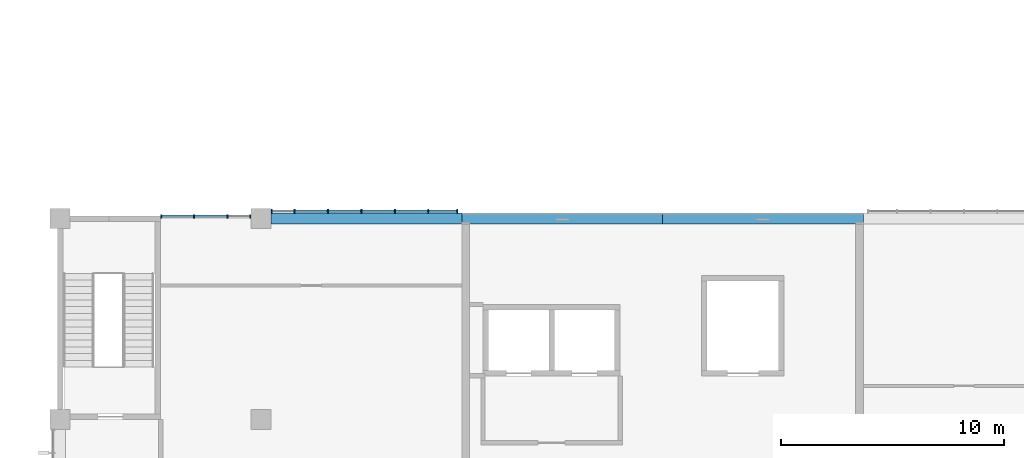
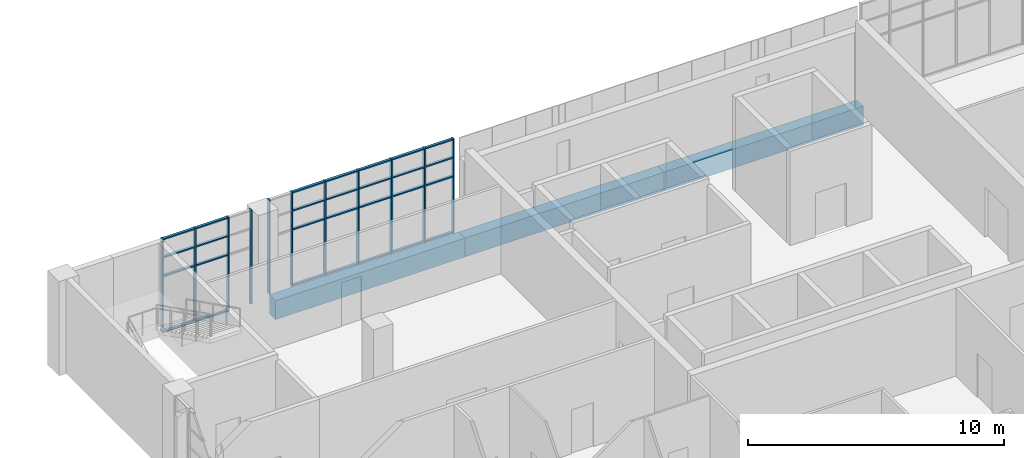
# One storey, part 35 of 79: 39 members, 3 beams, 2 elements without a shape of their own.
"""IFC4 building model written with IfcOpenShell, lengths in metres."""

import ifcopenshell
import ifcopenshell.guid

model = None  # the IFC model being written
_history = None  # IfcOwnerHistory: only IFC2X3 demands one
_inside = {}  # id of a spatial element -> (the spatial element, [elements in it])
_under = {}  # id of a project, library or spatial element -> (it, [spatial elements below it])
_declared = {}  # id of a project -> (the project, [libraries it declares])
_typed = {}  # id of a type object -> (the type object, [elements of that type])
_made_of = {}  # id of a material, layer set ... -> (it, [elements and type objects made of it])


def new_model(schema):
    """Start an empty IFC model of exactly this schema.

    Asked for "IFC4X3", IfcOpenShell would pick the latest addendum, in which some entities
    have other attributes; the version numbers below select the first issue.
    IFC2X3 requires an IfcOwnerHistory on every rooted entity: one is made here for all.
    """
    global model, _history
    if schema == "IFC4X3":
        model = ifcopenshell.file(schema_version=(4, 3, 0, 0))
    else:
        model = ifcopenshell.file(schema=schema)
    _inside.clear()
    _under.clear()
    _declared.clear()
    _typed.clear()
    _made_of.clear()
    _history = None
    if model.schema == "IFC2X3":
        org = make("IfcOrganization", Name="unknown")
        user = make(
            "IfcPersonAndOrganization",
            ThePerson=make("IfcPerson", FamilyName="unknown"),
            TheOrganization=org,
        )
        app = make(
            "IfcApplication",
            ApplicationDeveloper=org,
            Version="unknown",
            ApplicationFullName="unknown",
            ApplicationIdentifier="unknown",
        )
        _history = make(
            "IfcOwnerHistory",
            OwningUser=user,
            OwningApplication=app,
            ChangeAction="ADDED",
            CreationDate=0,
        )
    return model


def make(cls, **values):
    """One entity of the class cls with the attributes given. An attribute that is None is left unset."""
    return model.create_entity(
        cls, **{name: value for name, value in values.items() if value is not None}
    )


def rooted(cls, **values):
    """An entity with a GlobalId (a new one), such as an element, a storey or a relation."""
    return make(cls, GlobalId=ifcopenshell.guid.new(), OwnerHistory=_history, **values)


def si_unit(unit_type, name, prefix=None):
    """IfcSIUnit, for example si_unit("LENGTHUNIT", "METRE", prefix="MILLI")."""
    return make("IfcSIUnit", UnitType=unit_type, Prefix=prefix, Name=name)


def assignment(units):
    """IfcUnitAssignment: the units of a project."""
    return None if units is None else make("IfcUnitAssignment", Units=units)


def point(xyz):
    """IfcCartesianPoint."""
    return None if xyz is None else make("IfcCartesianPoint", Coordinates=xyz)


def direction(xyz):
    """IfcDirection."""
    return None if xyz is None else make("IfcDirection", DirectionRatios=xyz)


def frame(location, z_axis=None, x_axis=None):
    """IfcAxis2Placement3D, a coordinate frame: its origin and axes. An axis left out is left unset."""
    return make(
        "IfcAxis2Placement3D",
        Location=point(location),
        Axis=direction(z_axis),
        RefDirection=direction(x_axis),
    )


def frame_2d(location, x_axis=None):
    """IfcAxis2Placement2D, a coordinate frame in the plane: its origin and x axis."""
    return make(
        "IfcAxis2Placement2D", Location=point(location), RefDirection=direction(x_axis)
    )


def origin():
    """The frame at (0, 0, 0) with its axes left unset."""
    return frame((0.0, 0.0, 0.0))


def origin_2d():
    """The frame at (0, 0) in the plane with its x axis left unset."""
    return frame_2d((0.0, 0.0))


def place(relative_to, where):
    """IfcLocalPlacement: puts the frame where relative to a parent placement (None: the world)."""
    return make(
        "IfcLocalPlacement", PlacementRelTo=relative_to, RelativePlacement=where
    )


def context(
    kind, dimensions, precision=None, world=None, true_north=None, identifier=None
):
    """IfcGeometricRepresentationContext, for example the 3D "Model" context."""
    return make(
        "IfcGeometricRepresentationContext",
        ContextIdentifier=identifier,
        ContextType=kind,
        CoordinateSpaceDimension=dimensions,
        Precision=precision,
        WorldCoordinateSystem=world,
        TrueNorth=true_north,
    )


def subcontext(parent, identifier, kind, view, scale=None):
    """IfcGeometricRepresentationSubContext, for example "Body" below "Model"."""
    return make(
        "IfcGeometricRepresentationSubContext",
        ContextIdentifier=identifier,
        ContextType=kind,
        ParentContext=parent,
        TargetScale=scale,
        TargetView=view,
    )


def project(units=None, contexts=None):
    """IfcProject with its units and contexts."""
    return rooted(
        "IfcProject",
        Name="project",
        RepresentationContexts=contexts,
        UnitsInContext=assignment(units),
    )


def spatial(cls, under=None, at=None, **own):
    """A site, building, storey or space (cls), placed at a placement, below another one or the project."""
    s = rooted(cls, ObjectPlacement=at, **own)
    if under is not None:
        _under.setdefault(under.id(), (under, []))[1].append(s)
    return s


def profile(cls, at=None, kind="AREA", **sizes):
    """A parametric profile (cls). Its sizes go by their IFC names, for example OverallWidth=200.0."""
    return make(cls, ProfileType=kind, Position=at, **sizes)


def rectangle(**sizes):
    """IfcRectangleProfileDef."""
    return profile("IfcRectangleProfileDef", **sizes)


def extrude(swept, where, along, depth):
    """IfcExtrudedAreaSolid: the profile swept, set in the frame where, extruded along a direction by depth."""
    return make(
        "IfcExtrudedAreaSolid",
        SweptArea=swept,
        Position=where,
        ExtrudedDirection=direction(along),
        Depth=depth,
    )


def shape(context_of_items, identifier, shape_type, items):
    """IfcShapeRepresentation: the items that make up one representation, for example the "Body"."""
    return make(
        "IfcShapeRepresentation",
        ContextOfItems=context_of_items,
        RepresentationIdentifier=identifier,
        RepresentationType=shape_type,
        Items=items,
    )


def material(Name=None, Category=None):
    """IfcMaterial."""
    return make("IfcMaterial", Name=Name, Category=Category)


def layer(
    of_material, thickness, ventilated=None, Name=None, Category=None, Priority=None
):
    """IfcMaterialLayer: one layer of a wall or slab, of a material (None: an air gap)."""
    return make(
        "IfcMaterialLayer",
        Material=of_material,
        LayerThickness=thickness,
        IsVentilated=ventilated,
        Name=Name,
        Category=Category,
        Priority=Priority,
    )


def layer_set(layers, Name=None):
    """IfcMaterialLayerSet."""
    return make("IfcMaterialLayerSet", MaterialLayers=layers, LayerSetName=Name)


def material_profile(
    of_material, cross_section, Name=None, Category=None, Priority=None
):
    """IfcMaterialProfile: a cross section and its material."""
    return make(
        "IfcMaterialProfile",
        Name=Name,
        Material=of_material,
        Profile=cross_section,
        Priority=Priority,
        Category=Category,
    )


def profile_set(profiles, Name=None, composite=None):
    """IfcMaterialProfileSet."""
    return make(
        "IfcMaterialProfileSet",
        Name=Name,
        MaterialProfiles=profiles,
        CompositeProfile=composite,
    )


def made_of(thing, what):
    """Note that an element or type object is made of a material, layer set ...; save() writes the relation."""
    if what is not None:
        _made_of.setdefault(what.id(), (what, []))[1].append(thing)
    return thing


def type_object(cls, material=None, **own):
    """A type object (cls), such as IfcWallType, which elements share."""
    return made_of(rooted(cls, **own), material)


def element(
    cls,
    number,
    at=None,
    inside=None,
    cuts=None,
    type_object=None,
    material=None,
    context=None,
    identifier="Body",
    shape_type=None,
    held_by="IfcProductDefinitionShape",
    body=None,
    shapes=None,
    **own,
):
    """One element of the class cls, such as IfcWall. Its Tag is "e" and its number.

    at: its placement. inside: the storey or other place that contains it. cuts: it is an
    opening in that element (IfcRelVoidsElement). A single representation is given by context,
    identifier, shape_type and body (its items); several are given by shapes. held_by: the class
    of the entity that holds the representations. save() writes the other relations.
    """
    e = rooted(cls, Tag="e%d" % number, ObjectPlacement=at, **own)
    if body is not None:
        shapes = [shape(context, identifier, shape_type, body)]
    if shapes is not None:
        e.Representation = make(held_by, Representations=shapes)
    if inside is not None:
        _inside.setdefault(inside.id(), (inside, []))[1].append(e)
    if cuts is not None:
        rooted(
            "IfcRelVoidsElement", RelatingBuildingElement=cuts, RelatedOpeningElement=e
        )
    if type_object is not None:
        _typed.setdefault(type_object.id(), (type_object, []))[1].append(e)
    return made_of(e, material)


def aggregate(whole, parts):
    """IfcRelAggregates: a whole, such as a stair, and the parts it consists of."""
    return rooted("IfcRelAggregates", RelatingObject=whole, RelatedObjects=parts)


def save(model, path):
    """Write the relations noted so far, then the file.

    IfcRelAggregates (storeys below a building ...), IfcRelContainedInSpatialStructure (elements
    in a storey), IfcRelDefinesByType, IfcRelAssociatesMaterial and IfcRelDeclares: one each for
    every whole, place, type object, material and project.
    """
    for whole, parts in _under.values():
        aggregate(whole, parts)
    for where, things in _inside.values():
        rooted(
            "IfcRelContainedInSpatialStructure",
            RelatedElements=things,
            RelatingStructure=where,
        )
    for kind, things in _typed.values():
        rooted("IfcRelDefinesByType", RelatedObjects=things, RelatingType=kind)
    for what, things in _made_of.values():
        rooted("IfcRelAssociatesMaterial", RelatedObjects=things, RelatingMaterial=what)
    for by, libraries in _declared.values():
        rooted("IfcRelDeclares", RelatingContext=by, RelatedDefinitions=libraries)
    model.write(path)


model = new_model("IFC4")

# Units and contexts
model_context = context("Model", 3, precision=1e-05, world=origin(), true_north=direction((0.0, 1.0)))
body_context = subcontext(model_context, "Body", "Model", "MODEL_VIEW")
ifc_project = project(units=[si_unit("LENGTHUNIT", "METRE"), si_unit("AREAUNIT", "SQUARE_METRE"), si_unit("VOLUMEUNIT", "CUBIC_METRE"), si_unit("PLANEANGLEUNIT", "RADIAN"), si_unit("MASSUNIT", "GRAM", prefix="KILO")], contexts=[model_context])

# Site, building, storey
site_placement = place(None, origin())
site = spatial("IfcSite", under=ifc_project, at=site_placement, CompositionType="ELEMENT")
building_placement = place(site_placement, origin())
building = spatial("IfcBuilding", under=site, at=building_placement, Name="Guidao Yard Department Store", CompositionType="ELEMENT")
storey_placement = place(building_placement, frame((0.0, 0.0, 15.0)))
storey = spatial("IfcBuildingStorey", under=building, at=storey_placement, Name="L03", CompositionType="ELEMENT", Elevation=15.0)

# Curtain wall, members
ifc_material_1 = material(Name="Aluminium and glass", Category="aluminium")
ifc_layer = layer(ifc_material_1, 0.159912109375)
ifc_layer_set = layer_set([ifc_layer], Name="Unitised curtain wall CW4 1500 module")
curtain_wall_type = type_object("IfcCurtainWallType", Name="Unitised curtain wall CW4 1500 module", PredefinedType="NOTDEFINED", material=ifc_layer_set)
curtain_wall_1_placement = place(storey_placement, origin())
curtain_wall_1 = element("IfcCurtainWall", 1, at=curtain_wall_1_placement, inside=storey, type_object=curtain_wall_type, Name="Unitised curtain wall", PredefinedType="NOTDEFINED")
ifc_material_2 = material(Name="Aluminium 6063-T5", Category="aluminium")
ifc_material_profile_1 = material_profile(ifc_material_2, rectangle(XDim=0.06005859375, YDim=0.159912109375, at=origin_2d()), Name="Mullion M1 60 x 160 aluminium pressure plate")
ifc_profile_set_1 = profile_set([ifc_material_profile_1], Name="Aluminium 6063-T5")
member_type_1 = type_object("IfcMemberType", Name="Mullion M1 60 x 160 aluminium pressure plate", PredefinedType="MULLION", material=ifc_profile_set_1)
member_1_placement = place(storey_placement, frame((130.530029296875, 27.10009765625, 0.0), z_axis=(0.0, 0.0, 1.0), x_axis=(1.0, 0.0, 0.0)))
member_1 = element("IfcMember", 2, at=member_1_placement, type_object=member_type_1, Name="CW-OW-L03-06 mullion 1", PredefinedType="MULLION", context=body_context, shape_type="SweptSolid", body=[
    extrude(rectangle(XDim=0.06005859375, YDim=0.159912109375, at=origin_2d()), origin(), (0.0, 0.0, 1.0), 4.5),
])
member_2_placement = place(storey_placement, frame((132.0, 27.10009765625, 0.0), z_axis=(0.0, 0.0, 1.0), x_axis=(1.0, 0.0, 0.0)))
member_2 = element("IfcMember", 3, at=member_2_placement, type_object=member_type_1, Name="CW-OW-L03-06 mullion 2", PredefinedType="MULLION", context=body_context, shape_type="SweptSolid", body=[
    extrude(rectangle(XDim=0.06005859375, YDim=0.159912109375, at=origin_2d()), origin(), (0.0, 0.0, 1.0), 4.5),
])
member_3_placement = place(storey_placement, frame((133.5, 27.10009765625, 0.0), z_axis=(0.0, 0.0, 1.0), x_axis=(1.0, 0.0, 0.0)))
member_3 = element("IfcMember", 4, at=member_3_placement, type_object=member_type_1, Name="CW-OW-L03-06 mullion 3", PredefinedType="MULLION", context=body_context, shape_type="SweptSolid", body=[
    extrude(rectangle(XDim=0.06005859375, YDim=0.159912109375, at=origin_2d()), origin(), (0.0, 0.0, 1.0), 4.5),
])
member_4_placement = place(storey_placement, frame((134.52001953125, 27.10009765625, 0.0), z_axis=(0.0, 0.0, 1.0), x_axis=(1.0, 0.0, 0.0)))
member_4 = element("IfcMember", 5, at=member_4_placement, type_object=member_type_1, Name="CW-OW-L03-06 mullion 4", PredefinedType="MULLION", context=body_context, shape_type="SweptSolid", body=[
    extrude(rectangle(XDim=0.06005859375, YDim=0.159912109375, at=origin_2d()), origin(), (0.0, 0.0, 1.0), 4.5),
])

curtain_wall_2_placement = place(storey_placement, origin())
curtain_wall_2 = element("IfcCurtainWall", 6, at=curtain_wall_2_placement, inside=storey, type_object=curtain_wall_type, Name="Unitised curtain wall", PredefinedType="NOTDEFINED")
member_5_placement = place(storey_placement, frame((135.47998046875, 27.330078125, 0.0), z_axis=(0.0, 0.0, 1.0), x_axis=(1.0, 0.0, 0.0)))
member_5 = element("IfcMember", 7, at=member_5_placement, type_object=member_type_1, Name="CW-OW-L03-07 mullion 1", PredefinedType="MULLION", context=body_context, shape_type="SweptSolid", body=[
    extrude(rectangle(XDim=0.06005859375, YDim=0.159912109375, at=origin_2d()), origin(), (0.0, 0.0, 1.0), 4.5),
])
member_6_placement = place(storey_placement, frame((136.5, 27.330078125, 0.0), z_axis=(0.0, 0.0, 1.0), x_axis=(1.0, 0.0, 0.0)))
member_6 = element("IfcMember", 8, at=member_6_placement, type_object=member_type_1, Name="CW-OW-L03-07 mullion 2", PredefinedType="MULLION", context=body_context, shape_type="SweptSolid", body=[
    extrude(rectangle(XDim=0.06005859375, YDim=0.159912109375, at=origin_2d()), origin(), (0.0, 0.0, 1.0), 4.5),
])
member_7_placement = place(storey_placement, frame((138.0, 27.330078125, 0.0), z_axis=(0.0, 0.0, 1.0), x_axis=(1.0, 0.0, 0.0)))
member_7 = element("IfcMember", 9, at=member_7_placement, type_object=member_type_1, Name="CW-OW-L03-07 mullion 3", PredefinedType="MULLION", context=body_context, shape_type="SweptSolid", body=[
    extrude(rectangle(XDim=0.06005859375, YDim=0.159912109375, at=origin_2d()), origin(), (0.0, 0.0, 1.0), 4.5),
])
member_8_placement = place(storey_placement, frame((139.5, 27.330078125, 0.0), z_axis=(0.0, 0.0, 1.0), x_axis=(1.0, 0.0, 0.0)))
member_8 = element("IfcMember", 10, at=member_8_placement, type_object=member_type_1, Name="CW-OW-L03-07 mullion 4", PredefinedType="MULLION", context=body_context, shape_type="SweptSolid", body=[
    extrude(rectangle(XDim=0.06005859375, YDim=0.159912109375, at=origin_2d()), origin(), (0.0, 0.0, 1.0), 4.5),
])
member_9_placement = place(storey_placement, frame((141.0, 27.330078125, 0.0), z_axis=(0.0, 0.0, 1.0), x_axis=(1.0, 0.0, 0.0)))
member_9 = element("IfcMember", 11, at=member_9_placement, type_object=member_type_1, Name="CW-OW-L03-07 mullion 5", PredefinedType="MULLION", context=body_context, shape_type="SweptSolid", body=[
    extrude(rectangle(XDim=0.06005859375, YDim=0.159912109375, at=origin_2d()), origin(), (0.0, 0.0, 1.0), 4.5),
])
member_10_placement = place(storey_placement, frame((142.5, 27.330078125, 0.0), z_axis=(0.0, 0.0, 1.0), x_axis=(1.0, 0.0, 0.0)))
member_10 = element("IfcMember", 12, at=member_10_placement, type_object=member_type_1, Name="CW-OW-L03-07 mullion 6", PredefinedType="MULLION", context=body_context, shape_type="SweptSolid", body=[
    extrude(rectangle(XDim=0.06005859375, YDim=0.159912109375, at=origin_2d()), origin(), (0.0, 0.0, 1.0), 4.5),
])
member_11_placement = place(storey_placement, frame((143.794921875, 27.330078125, 0.0), z_axis=(0.0, 0.0, 1.0), x_axis=(1.0, 0.0, 0.0)))
member_11 = element("IfcMember", 13, at=member_11_placement, type_object=member_type_1, Name="CW-OW-L03-07 mullion 7", PredefinedType="MULLION", context=body_context, shape_type="SweptSolid", body=[
    extrude(rectangle(XDim=0.06005859375, YDim=0.159912109375, at=origin_2d()), origin(), (0.0, 0.0, 1.0), 4.5),
])

# Beams
ifc_material_3 = material(Name="Concrete C40", Category="concrete")
ifc_material_profile_2 = material_profile(ifc_material_3, rectangle(XDim=0.5, YDim=0.89990234375, at=origin_2d()), Name="Spandrel beam 500 x 900 C40")
ifc_profile_set_2 = profile_set([ifc_material_profile_2], Name="Concrete C40")
beam_type = type_object("IfcBeamType", Name="Spandrel beam 500 x 900 C40", PredefinedType="SPANDREL", material=ifc_profile_set_2)
beam_placement = place(storey_placement, frame((135.449951171875, 27.0, -0.449951171875), z_axis=(1.0, 0.0, 0.0), x_axis=(0.0, 1.0, 0.0)))
element("IfcBeam", 14, at=beam_placement, inside=storey, type_object=beam_type, Name="Beam FB05", PredefinedType="SPANDREL", context=body_context, shape_type="SweptSolid", body=[
    extrude(rectangle(XDim=0.5, YDim=0.89990234375, at=origin_2d()), origin(), (0.0, 0.0, 1.0), 8.550048828125),
])
for number, where, z_axis, x_axis, name in (
    (15, (144.0, 27.0, -0.449951171875), (1.0, 0.0, 0.0), (0.0, 1.0, 0.0), "Beam FB06"),
    (16, (153.0, 27.0, -0.449951171875), (1.0, 0.0, 0.0), (0.0, 1.0, 0.0), "Beam FB07"),
):
    element("IfcBeam", number, at=place(storey_placement, frame(where, z_axis=z_axis, x_axis=x_axis)), inside=storey, type_object=beam_type, Name=name, PredefinedType="SPANDREL", context=body_context, shape_type="SweptSolid", body=[
        extrude(rectangle(XDim=0.5, YDim=0.89990234375, at=origin_2d()), origin(), (0.0, 0.0, 1.0), 9.0),
    ])

# Member
ifc_material_4 = material(Name="Aluminium 6063-T5", Category="aluminium")
ifc_material_profile_3 = material_profile(ifc_material_4, rectangle(XDim=0.1201171875, YDim=0.06005859375, at=origin_2d()), Name="Transom T1 60 x 120 aluminium pressure plate")
ifc_profile_set_3 = profile_set([ifc_material_profile_3], Name="Aluminium 6063-T5")
member_type_2 = type_object("IfcMemberType", Name="Transom T1 60 x 120 aluminium pressure plate", PredefinedType="USERDEFINED", material=ifc_profile_set_3)
member_12_placement = place(storey_placement, frame((130.56005859375, 27.10009765625, 0.030029296875), z_axis=(1.0, 0.0, 0.0), x_axis=(0.0, 1.0, 0.0)))
member_12 = element("IfcMember", 17, at=member_12_placement, type_object=member_type_2, Name="CW-OW-L03-06 transom 1.1", ObjectType="TRANSOM", PredefinedType="USERDEFINED", context=body_context, shape_type="SweptSolid", body=[
    extrude(rectangle(XDim=0.1201171875, YDim=0.06005859375, at=origin_2d()), origin(), (0.0, 0.0, 1.0), 1.409912109375),
])

member_13_placement = place(storey_placement, frame((130.56005859375, 27.10009765625, 2.699951171875), z_axis=(1.0, 0.0, 0.0), x_axis=(0.0, 1.0, 0.0)))
member_13 = element("IfcMember", 18, at=member_13_placement, type_object=member_type_2, Name="CW-OW-L03-06 transom 1.2", ObjectType="TRANSOM", PredefinedType="USERDEFINED", context=body_context, shape_type="SweptSolid", body=[
    extrude(rectangle(XDim=0.1201171875, YDim=0.06005859375, at=origin_2d()), origin(), (0.0, 0.0, 1.0), 1.409912109375),
])

member_14_placement = place(storey_placement, frame((130.56005859375, 27.10009765625, 3.60009765625), z_axis=(1.0, 0.0, 0.0), x_axis=(0.0, 1.0, 0.0)))
member_14 = element("IfcMember", 19, at=member_14_placement, type_object=member_type_2, Name="CW-OW-L03-06 transom 1.3", ObjectType="TRANSOM", PredefinedType="USERDEFINED", context=body_context, shape_type="SweptSolid", body=[
    extrude(rectangle(XDim=0.1201171875, YDim=0.06005859375, at=origin_2d()), origin(), (0.0, 0.0, 1.0), 1.409912109375),
])

member_15_placement = place(storey_placement, frame((130.56005859375, 27.10009765625, 4.469970703125), z_axis=(1.0, 0.0, 0.0), x_axis=(0.0, 1.0, 0.0)))
member_15 = element("IfcMember", 20, at=member_15_placement, type_object=member_type_2, Name="CW-OW-L03-06 transom 1.4", ObjectType="TRANSOM", PredefinedType="USERDEFINED", context=body_context, shape_type="SweptSolid", body=[
    extrude(rectangle(XDim=0.1201171875, YDim=0.06005859375, at=origin_2d()), origin(), (0.0, 0.0, 1.0), 1.409912109375),
])

member_16_placement = place(storey_placement, frame((132.030029296875, 27.10009765625, 0.030029296875), z_axis=(1.0, 0.0, 0.0), x_axis=(0.0, 1.0, 0.0)))
member_16 = element("IfcMember", 21, at=member_16_placement, type_object=member_type_2, Name="CW-OW-L03-06 transom 2.1", ObjectType="TRANSOM", PredefinedType="USERDEFINED", context=body_context, shape_type="SweptSolid", body=[
    extrude(rectangle(XDim=0.1201171875, YDim=0.06005859375, at=origin_2d()), origin(), (0.0, 0.0, 1.0), 1.43994140625),
])

member_17_placement = place(storey_placement, frame((132.030029296875, 27.10009765625, 2.699951171875), z_axis=(1.0, 0.0, 0.0), x_axis=(0.0, 1.0, 0.0)))
member_17 = element("IfcMember", 22, at=member_17_placement, type_object=member_type_2, Name="CW-OW-L03-06 transom 2.2", ObjectType="TRANSOM", PredefinedType="USERDEFINED", context=body_context, shape_type="SweptSolid", body=[
    extrude(rectangle(XDim=0.1201171875, YDim=0.06005859375, at=origin_2d()), origin(), (0.0, 0.0, 1.0), 1.43994140625),
])

member_18_placement = place(storey_placement, frame((132.030029296875, 27.10009765625, 3.60009765625), z_axis=(1.0, 0.0, 0.0), x_axis=(0.0, 1.0, 0.0)))
member_18 = element("IfcMember", 23, at=member_18_placement, type_object=member_type_2, Name="CW-OW-L03-06 transom 2.3", ObjectType="TRANSOM", PredefinedType="USERDEFINED", context=body_context, shape_type="SweptSolid", body=[
    extrude(rectangle(XDim=0.1201171875, YDim=0.06005859375, at=origin_2d()), origin(), (0.0, 0.0, 1.0), 1.43994140625),
])

member_19_placement = place(storey_placement, frame((132.030029296875, 27.10009765625, 4.469970703125), z_axis=(1.0, 0.0, 0.0), x_axis=(0.0, 1.0, 0.0)))
member_19 = element("IfcMember", 24, at=member_19_placement, type_object=member_type_2, Name="CW-OW-L03-06 transom 2.4", ObjectType="TRANSOM", PredefinedType="USERDEFINED", context=body_context, shape_type="SweptSolid", body=[
    extrude(rectangle(XDim=0.1201171875, YDim=0.06005859375, at=origin_2d()), origin(), (0.0, 0.0, 1.0), 1.43994140625),
])

aggregate(curtain_wall_1, [member_1, member_2, member_3, member_4, member_12, member_13, member_14, member_15, member_16, member_17, member_18, member_19])

member_20_placement = place(storey_placement, frame((136.530029296875, 27.330078125, 0.030029296875), z_axis=(1.0, 0.0, 0.0), x_axis=(0.0, 1.0, 0.0)))
member_20 = element("IfcMember", 25, at=member_20_placement, type_object=member_type_2, Name="CW-OW-L03-07 transom 2.1", ObjectType="TRANSOM", PredefinedType="USERDEFINED", context=body_context, shape_type="SweptSolid", body=[
    extrude(rectangle(XDim=0.1201171875, YDim=0.06005859375, at=origin_2d()), origin(), (0.0, 0.0, 1.0), 1.43994140625),
])

member_21_placement = place(storey_placement, frame((136.530029296875, 27.330078125, 2.699951171875), z_axis=(1.0, 0.0, 0.0), x_axis=(0.0, 1.0, 0.0)))
member_21 = element("IfcMember", 26, at=member_21_placement, type_object=member_type_2, Name="CW-OW-L03-07 transom 2.2", ObjectType="TRANSOM", PredefinedType="USERDEFINED", context=body_context, shape_type="SweptSolid", body=[
    extrude(rectangle(XDim=0.1201171875, YDim=0.06005859375, at=origin_2d()), origin(), (0.0, 0.0, 1.0), 1.43994140625),
])

member_22_placement = place(storey_placement, frame((136.530029296875, 27.330078125, 3.60009765625), z_axis=(1.0, 0.0, 0.0), x_axis=(0.0, 1.0, 0.0)))
member_22 = element("IfcMember", 27, at=member_22_placement, type_object=member_type_2, Name="CW-OW-L03-07 transom 2.3", ObjectType="TRANSOM", PredefinedType="USERDEFINED", context=body_context, shape_type="SweptSolid", body=[
    extrude(rectangle(XDim=0.1201171875, YDim=0.06005859375, at=origin_2d()), origin(), (0.0, 0.0, 1.0), 1.43994140625),
])

member_23_placement = place(storey_placement, frame((136.530029296875, 27.330078125, 4.469970703125), z_axis=(1.0, 0.0, 0.0), x_axis=(0.0, 1.0, 0.0)))
member_23 = element("IfcMember", 28, at=member_23_placement, type_object=member_type_2, Name="CW-OW-L03-07 transom 2.4", ObjectType="TRANSOM", PredefinedType="USERDEFINED", context=body_context, shape_type="SweptSolid", body=[
    extrude(rectangle(XDim=0.1201171875, YDim=0.06005859375, at=origin_2d()), origin(), (0.0, 0.0, 1.0), 1.43994140625),
])

member_24_placement = place(storey_placement, frame((138.030029296875, 27.330078125, 0.030029296875), z_axis=(1.0, 0.0, 0.0), x_axis=(0.0, 1.0, 0.0)))
member_24 = element("IfcMember", 29, at=member_24_placement, type_object=member_type_2, Name="CW-OW-L03-07 transom 3.1", ObjectType="TRANSOM", PredefinedType="USERDEFINED", context=body_context, shape_type="SweptSolid", body=[
    extrude(rectangle(XDim=0.1201171875, YDim=0.06005859375, at=origin_2d()), origin(), (0.0, 0.0, 1.0), 1.43994140625),
])

member_25_placement = place(storey_placement, frame((138.030029296875, 27.330078125, 2.699951171875), z_axis=(1.0, 0.0, 0.0), x_axis=(0.0, 1.0, 0.0)))
member_25 = element("IfcMember", 30, at=member_25_placement, type_object=member_type_2, Name="CW-OW-L03-07 transom 3.2", ObjectType="TRANSOM", PredefinedType="USERDEFINED", context=body_context, shape_type="SweptSolid", body=[
    extrude(rectangle(XDim=0.1201171875, YDim=0.06005859375, at=origin_2d()), origin(), (0.0, 0.0, 1.0), 1.43994140625),
])

member_26_placement = place(storey_placement, frame((138.030029296875, 27.330078125, 3.60009765625), z_axis=(1.0, 0.0, 0.0), x_axis=(0.0, 1.0, 0.0)))
member_26 = element("IfcMember", 31, at=member_26_placement, type_object=member_type_2, Name="CW-OW-L03-07 transom 3.3", ObjectType="TRANSOM", PredefinedType="USERDEFINED", context=body_context, shape_type="SweptSolid", body=[
    extrude(rectangle(XDim=0.1201171875, YDim=0.06005859375, at=origin_2d()), origin(), (0.0, 0.0, 1.0), 1.43994140625),
])

member_27_placement = place(storey_placement, frame((138.030029296875, 27.330078125, 4.469970703125), z_axis=(1.0, 0.0, 0.0), x_axis=(0.0, 1.0, 0.0)))
member_27 = element("IfcMember", 32, at=member_27_placement, type_object=member_type_2, Name="CW-OW-L03-07 transom 3.4", ObjectType="TRANSOM", PredefinedType="USERDEFINED", context=body_context, shape_type="SweptSolid", body=[
    extrude(rectangle(XDim=0.1201171875, YDim=0.06005859375, at=origin_2d()), origin(), (0.0, 0.0, 1.0), 1.43994140625),
])

member_28_placement = place(storey_placement, frame((139.530029296875, 27.330078125, 0.030029296875), z_axis=(1.0, 0.0, 0.0), x_axis=(0.0, 1.0, 0.0)))
member_28 = element("IfcMember", 33, at=member_28_placement, type_object=member_type_2, Name="CW-OW-L03-07 transom 4.1", ObjectType="TRANSOM", PredefinedType="USERDEFINED", context=body_context, shape_type="SweptSolid", body=[
    extrude(rectangle(XDim=0.1201171875, YDim=0.06005859375, at=origin_2d()), origin(), (0.0, 0.0, 1.0), 1.43994140625),
])

member_29_placement = place(storey_placement, frame((139.530029296875, 27.330078125, 2.699951171875), z_axis=(1.0, 0.0, 0.0), x_axis=(0.0, 1.0, 0.0)))
member_29 = element("IfcMember", 34, at=member_29_placement, type_object=member_type_2, Name="CW-OW-L03-07 transom 4.2", ObjectType="TRANSOM", PredefinedType="USERDEFINED", context=body_context, shape_type="SweptSolid", body=[
    extrude(rectangle(XDim=0.1201171875, YDim=0.06005859375, at=origin_2d()), origin(), (0.0, 0.0, 1.0), 1.43994140625),
])

member_30_placement = place(storey_placement, frame((139.530029296875, 27.330078125, 3.60009765625), z_axis=(1.0, 0.0, 0.0), x_axis=(0.0, 1.0, 0.0)))
member_30 = element("IfcMember", 35, at=member_30_placement, type_object=member_type_2, Name="CW-OW-L03-07 transom 4.3", ObjectType="TRANSOM", PredefinedType="USERDEFINED", context=body_context, shape_type="SweptSolid", body=[
    extrude(rectangle(XDim=0.1201171875, YDim=0.06005859375, at=origin_2d()), origin(), (0.0, 0.0, 1.0), 1.43994140625),
])

member_31_placement = place(storey_placement, frame((139.530029296875, 27.330078125, 4.469970703125), z_axis=(1.0, 0.0, 0.0), x_axis=(0.0, 1.0, 0.0)))
member_31 = element("IfcMember", 36, at=member_31_placement, type_object=member_type_2, Name="CW-OW-L03-07 transom 4.4", ObjectType="TRANSOM", PredefinedType="USERDEFINED", context=body_context, shape_type="SweptSolid", body=[
    extrude(rectangle(XDim=0.1201171875, YDim=0.06005859375, at=origin_2d()), origin(), (0.0, 0.0, 1.0), 1.43994140625),
])

member_32_placement = place(storey_placement, frame((141.030029296875, 27.330078125, 0.030029296875), z_axis=(1.0, 0.0, 0.0), x_axis=(0.0, 1.0, 0.0)))
member_32 = element("IfcMember", 37, at=member_32_placement, type_object=member_type_2, Name="CW-OW-L03-07 transom 5.1", ObjectType="TRANSOM", PredefinedType="USERDEFINED", context=body_context, shape_type="SweptSolid", body=[
    extrude(rectangle(XDim=0.1201171875, YDim=0.06005859375, at=origin_2d()), origin(), (0.0, 0.0, 1.0), 1.43994140625),
])

member_33_placement = place(storey_placement, frame((141.030029296875, 27.330078125, 2.699951171875), z_axis=(1.0, 0.0, 0.0), x_axis=(0.0, 1.0, 0.0)))
member_33 = element("IfcMember", 38, at=member_33_placement, type_object=member_type_2, Name="CW-OW-L03-07 transom 5.2", ObjectType="TRANSOM", PredefinedType="USERDEFINED", context=body_context, shape_type="SweptSolid", body=[
    extrude(rectangle(XDim=0.1201171875, YDim=0.06005859375, at=origin_2d()), origin(), (0.0, 0.0, 1.0), 1.43994140625),
])

member_34_placement = place(storey_placement, frame((141.030029296875, 27.330078125, 3.60009765625), z_axis=(1.0, 0.0, 0.0), x_axis=(0.0, 1.0, 0.0)))
member_34 = element("IfcMember", 39, at=member_34_placement, type_object=member_type_2, Name="CW-OW-L03-07 transom 5.3", ObjectType="TRANSOM", PredefinedType="USERDEFINED", context=body_context, shape_type="SweptSolid", body=[
    extrude(rectangle(XDim=0.1201171875, YDim=0.06005859375, at=origin_2d()), origin(), (0.0, 0.0, 1.0), 1.43994140625),
])

member_35_placement = place(storey_placement, frame((141.030029296875, 27.330078125, 4.469970703125), z_axis=(1.0, 0.0, 0.0), x_axis=(0.0, 1.0, 0.0)))
member_35 = element("IfcMember", 40, at=member_35_placement, type_object=member_type_2, Name="CW-OW-L03-07 transom 5.4", ObjectType="TRANSOM", PredefinedType="USERDEFINED", context=body_context, shape_type="SweptSolid", body=[
    extrude(rectangle(XDim=0.1201171875, YDim=0.06005859375, at=origin_2d()), origin(), (0.0, 0.0, 1.0), 1.43994140625),
])

member_36_placement = place(storey_placement, frame((142.530029296875, 27.330078125, 0.030029296875), z_axis=(1.0, 0.0, 0.0), x_axis=(0.0, 1.0, 0.0)))
member_36 = element("IfcMember", 41, at=member_36_placement, type_object=member_type_2, Name="CW-OW-L03-07 transom 6.1", ObjectType="TRANSOM", PredefinedType="USERDEFINED", context=body_context, shape_type="SweptSolid", body=[
    extrude(rectangle(XDim=0.1201171875, YDim=0.06005859375, at=origin_2d()), origin(), (0.0, 0.0, 1.0), 1.23486328125),
])

member_37_placement = place(storey_placement, frame((142.530029296875, 27.330078125, 2.699951171875), z_axis=(1.0, 0.0, 0.0), x_axis=(0.0, 1.0, 0.0)))
member_37 = element("IfcMember", 42, at=member_37_placement, type_object=member_type_2, Name="CW-OW-L03-07 transom 6.2", ObjectType="TRANSOM", PredefinedType="USERDEFINED", context=body_context, shape_type="SweptSolid", body=[
    extrude(rectangle(XDim=0.1201171875, YDim=0.06005859375, at=origin_2d()), origin(), (0.0, 0.0, 1.0), 1.23486328125),
])

member_38_placement = place(storey_placement, frame((142.530029296875, 27.330078125, 3.60009765625), z_axis=(1.0, 0.0, 0.0), x_axis=(0.0, 1.0, 0.0)))
member_38 = element("IfcMember", 43, at=member_38_placement, type_object=member_type_2, Name="CW-OW-L03-07 transom 6.3", ObjectType="TRANSOM", PredefinedType="USERDEFINED", context=body_context, shape_type="SweptSolid", body=[
    extrude(rectangle(XDim=0.1201171875, YDim=0.06005859375, at=origin_2d()), origin(), (0.0, 0.0, 1.0), 1.23486328125),
])

member_39_placement = place(storey_placement, frame((142.530029296875, 27.330078125, 4.469970703125), z_axis=(1.0, 0.0, 0.0), x_axis=(0.0, 1.0, 0.0)))
member_39 = element("IfcMember", 44, at=member_39_placement, type_object=member_type_2, Name="CW-OW-L03-07 transom 6.4", ObjectType="TRANSOM", PredefinedType="USERDEFINED", context=body_context, shape_type="SweptSolid", body=[
    extrude(rectangle(XDim=0.1201171875, YDim=0.06005859375, at=origin_2d()), origin(), (0.0, 0.0, 1.0), 1.23486328125),
])

aggregate(curtain_wall_2, [member_5, member_6, member_7, member_8, member_9, member_10, member_11, member_20, member_21, member_22, member_23, member_24, member_25, member_26, member_27, member_28, member_29, member_30, member_31, member_32, member_33, member_34, member_35, member_36, member_37, member_38, member_39])

save(model, "model.ifc")
